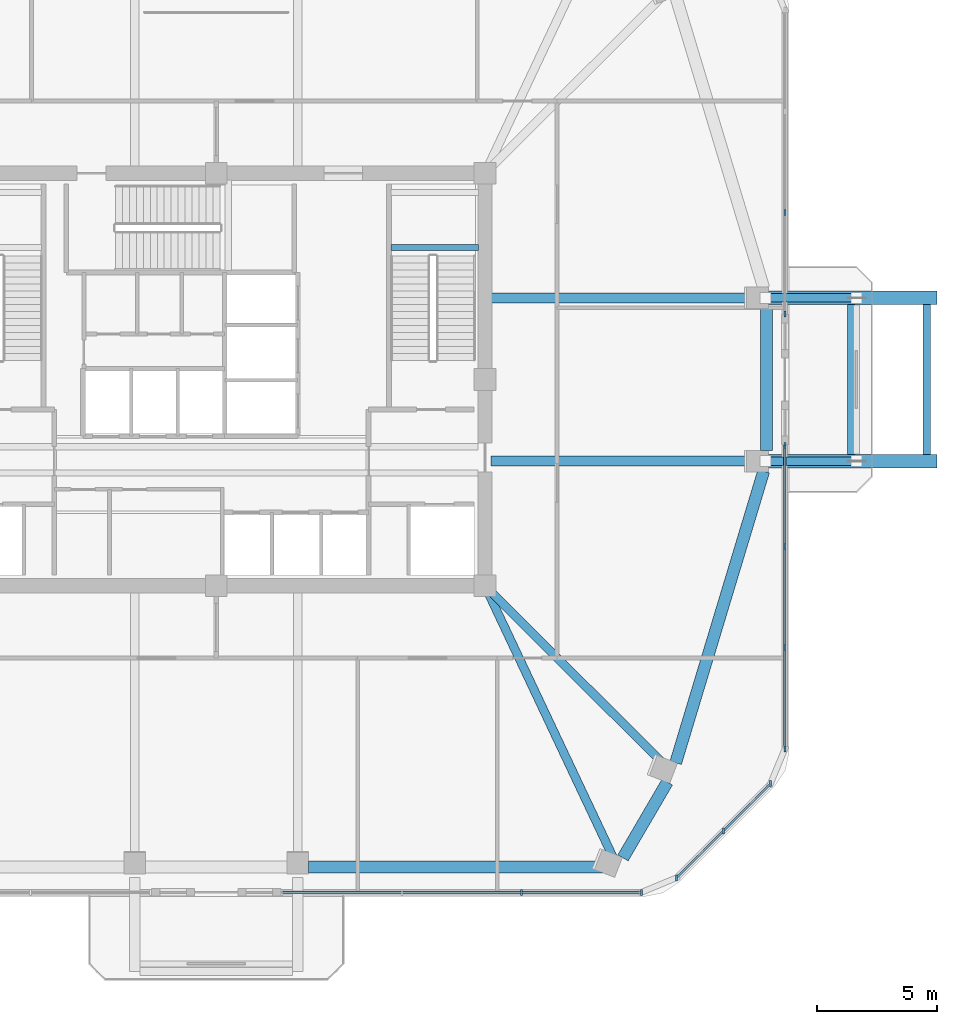
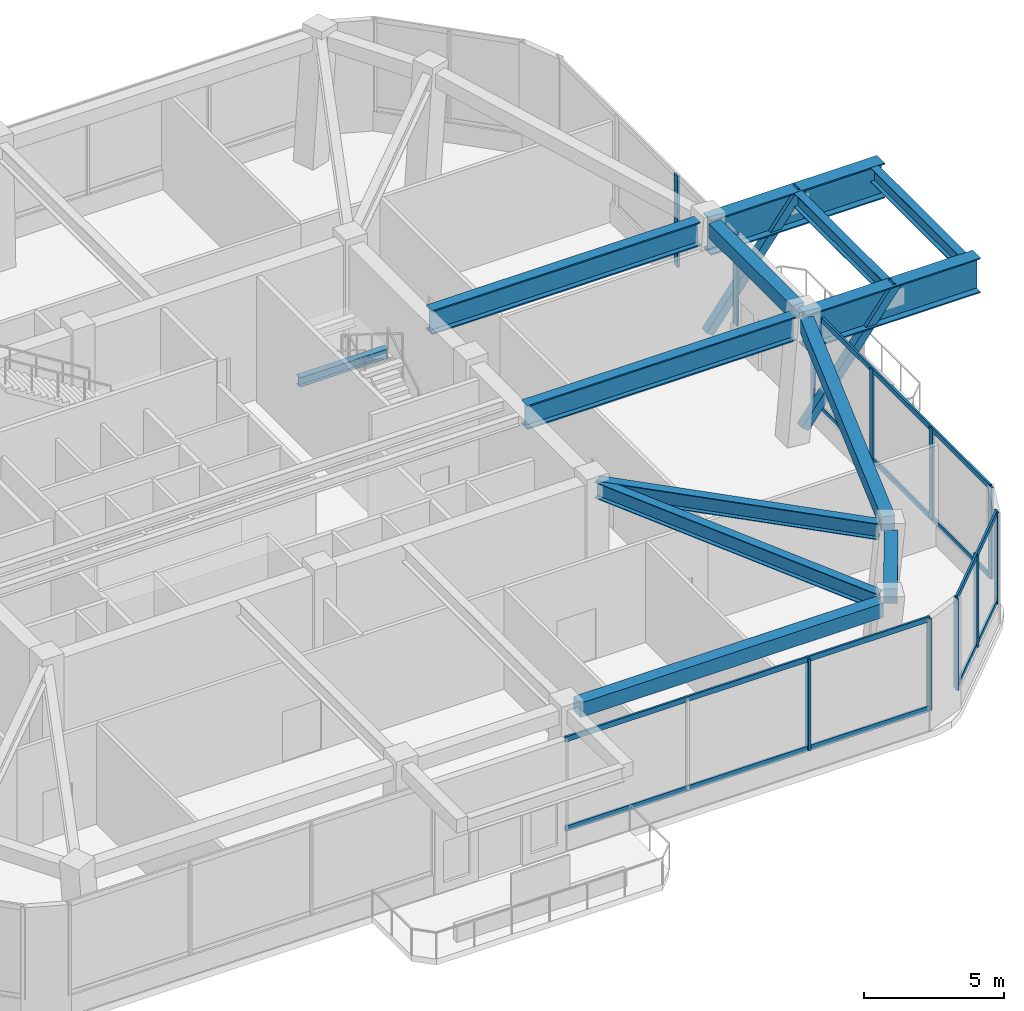
# One storey, part 3 of 14: 19 members, 13 beams, 4 elements without a shape of their own.
"""IFC4 building model written with IfcOpenShell, lengths in metres."""

from ifc_helpers import new_model, si_unit, derived_unit, direction, frame, origin, origin_2d, place, context, subcontext, project, spatial, rectangle, hollow_rectangle, i_section, extrude, material, material_profile, profile_set, type_object, element, aggregate, save


model = new_model("IFC4")

# Units and contexts
model_context = context("Model", 3, precision=1e-05, world=origin(), true_north=direction((0.0, 1.0)))
body_context = subcontext(model_context, "Body", "Model", "MODEL_VIEW")
ifc_project = project(units=[si_unit("LENGTHUNIT", "METRE"), si_unit("AREAUNIT", "SQUARE_METRE"), si_unit("VOLUMEUNIT", "CUBIC_METRE"), si_unit("PLANEANGLEUNIT", "RADIAN"), si_unit("MASSUNIT", "GRAM", prefix="KILO"), derived_unit("THERMALTRANSMITTANCEUNIT", [(si_unit("POWERUNIT", "WATT"), 1), (si_unit("LENGTHUNIT", "METRE"), -2), (si_unit("THERMODYNAMICTEMPERATUREUNIT", "KELVIN"), -1)])], contexts=[model_context])

# Site, building, storey
site_placement = place(None, origin())
site = spatial("IfcSite", under=ifc_project, at=site_placement, CompositionType="ELEMENT")
building_placement = place(site_placement, origin())
building = spatial("IfcBuilding", under=site, at=building_placement, Name="Koralith Skygarden Medical Center", CompositionType="ELEMENT")
storey_placement = place(building_placement, frame((0.0, 0.0, 182.699951171875)))
storey = spatial("IfcBuildingStorey", under=building, at=storey_placement, Name="L47", CompositionType="ELEMENT", Elevation=182.699951171875)

# Curtain wall, members
ifc_material_1 = material(Name="Clear Laminated Glass", Category="glass")
curtain_wall_type = type_object("IfcCurtainWallType", Name="CW-7 Sky-Garden & Pool Conservatory Wall", PredefinedType="NOTDEFINED", material=ifc_material_1)
curtain_wall_1_placement = place(storey_placement, origin())
curtain_wall_1 = element("IfcCurtainWall", 1, at=curtain_wall_1_placement, inside=storey, type_object=curtain_wall_type, Name="Curtain Wall CW-L47-S-R", PredefinedType="NOTDEFINED")
ifc_material_2 = material(Name="Aluminium 6063-T6", Category="aluminium")
ifc_material_profile_1 = material_profile(ifc_material_2, rectangle(XDim=0.0859375, YDim=0.25, at=origin_2d()), Name="MUL86X250")
ifc_profile_set_1 = profile_set([ifc_material_profile_1], Name="Aluminium 6063-T6")
member_type_1 = type_object("IfcMemberType", Name="CW-7 Extruded Mullion 86x250", PredefinedType="MULLION", material=ifc_profile_set_1)
member_1_placement = place(storey_placement, frame((49.72802734375, 4.529052734375, 0.85009765625), z_axis=(0.0, 0.0, 1.0), x_axis=(1.0, 0.0, 0.0)))
member_1 = element("IfcMember", 2, at=member_1_placement, type_object=member_type_1, Name="CW-L47-S-R Mullion 3", PredefinedType="MULLION", context=body_context, shape_type="SweptSolid", body=[
    extrude(rectangle(XDim=0.0859375, YDim=0.25, at=origin_2d()), origin(), (0.0, 0.0, 1.0), 3.97998046875),
])
member_2_placement = place(storey_placement, frame((54.721923828125, 4.529052734375, 0.85009765625), z_axis=(0.0, 0.0, 1.0), x_axis=(1.0, 0.0, 0.0)))
member_2 = element("IfcMember", 3, at=member_2_placement, type_object=member_type_1, Name="CW-L47-S-R Mullion 4", PredefinedType="MULLION", context=body_context, shape_type="SweptSolid", body=[
    extrude(rectangle(XDim=0.0859375, YDim=0.25, at=origin_2d()), origin(), (0.0, 0.0, 1.0), 3.97998046875),
])

curtain_wall_2_placement = place(storey_placement, origin())
curtain_wall_2 = element("IfcCurtainWall", 4, at=curtain_wall_2_placement, inside=storey, type_object=curtain_wall_type, Name="Curtain Wall CW-L47-SE", PredefinedType="NOTDEFINED")
member_3_placement = place(storey_placement, frame((56.173095703125, 5.131103515625, 0.85009765625), z_axis=(0.0, 0.0, 1.0), x_axis=(1.0, 0.0, 0.0)))
member_3 = element("IfcMember", 5, at=member_3_placement, type_object=member_type_1, Name="CW-L47-SE Mullion 1", PredefinedType="MULLION", context=body_context, shape_type="SweptSolid", body=[
    extrude(rectangle(XDim=0.0859375, YDim=0.25, at=origin_2d()), origin(), (0.0, 0.0, 1.0), 3.97998046875),
])
member_4_placement = place(storey_placement, frame((58.135009765625, 7.093017578125, 0.85009765625), z_axis=(0.0, 0.0, 1.0), x_axis=(1.0, 0.0, 0.0)))
member_4 = element("IfcMember", 6, at=member_4_placement, type_object=member_type_1, Name="CW-L47-SE Mullion 2", PredefinedType="MULLION", context=body_context, shape_type="SweptSolid", body=[
    extrude(rectangle(XDim=0.0859375, YDim=0.25, at=origin_2d()), origin(), (0.0, 0.0, 1.0), 3.97998046875),
])
member_5_placement = place(storey_placement, frame((60.095947265625, 9.053955078125, 0.85009765625), z_axis=(0.0, 0.0, 1.0), x_axis=(1.0, 0.0, 0.0)))
member_5 = element("IfcMember", 7, at=member_5_placement, type_object=member_type_1, Name="CW-L47-SE Mullion 3", PredefinedType="MULLION", context=body_context, shape_type="SweptSolid", body=[
    extrude(rectangle(XDim=0.0859375, YDim=0.25, at=origin_2d()), origin(), (0.0, 0.0, 1.0), 3.97998046875),
])

curtain_wall_3_placement = place(storey_placement, origin())
curtain_wall_3 = element("IfcCurtainWall", 8, at=curtain_wall_3_placement, inside=storey, type_object=curtain_wall_type, Name="Curtain Wall CW-L47-E-L", PredefinedType="NOTDEFINED")
member_6_placement = place(storey_placement, frame((60.697021484375, 10.5048828125, 0.85009765625), z_axis=(0.0, 0.0, 1.0), x_axis=(1.0, 0.0, 0.0)))
member_6 = element("IfcMember", 9, at=member_6_placement, type_object=member_type_1, Name="CW-L47-E-L Mullion 1", PredefinedType="MULLION", context=body_context, shape_type="SweptSolid", body=[
    extrude(rectangle(XDim=0.0859375, YDim=0.25, at=origin_2d()), origin(), (0.0, 0.0, 1.0), 3.97998046875),
])
member_7_placement = place(storey_placement, frame((60.697021484375, 14.722900390625, 0.85009765625), z_axis=(0.0, 0.0, 1.0), x_axis=(1.0, 0.0, 0.0)))
member_7 = element("IfcMember", 10, at=member_7_placement, type_object=member_type_1, Name="CW-L47-E-L Mullion 2", PredefinedType="MULLION", context=body_context, shape_type="SweptSolid", body=[
    extrude(rectangle(XDim=0.0859375, YDim=0.25, at=origin_2d()), origin(), (0.0, 0.0, 1.0), 3.97998046875),
])
member_8_placement = place(storey_placement, frame((60.697021484375, 18.94189453125, 0.85009765625), z_axis=(0.0, 0.0, 1.0), x_axis=(1.0, 0.0, 0.0)))
member_8 = element("IfcMember", 11, at=member_8_placement, type_object=member_type_1, Name="CW-L47-E-L Mullion 3", PredefinedType="MULLION", context=body_context, shape_type="SweptSolid", body=[
    extrude(rectangle(XDim=0.0859375, YDim=0.25, at=origin_2d()), origin(), (0.0, 0.0, 1.0), 3.97998046875),
])
member_9_placement = place(storey_placement, frame((60.697021484375, 23.159912109375, 0.85009765625), z_axis=(0.0, 0.0, 1.0), x_axis=(1.0, 0.0, 0.0)))
member_9 = element("IfcMember", 12, at=member_9_placement, type_object=member_type_1, Name="CW-L47-E-L Mullion 4", PredefinedType="MULLION", context=body_context, shape_type="SweptSolid", body=[
    extrude(rectangle(XDim=0.0859375, YDim=0.25, at=origin_2d()), origin(), (0.0, 0.0, 1.0), 3.97998046875),
])

curtain_wall_4_placement = place(storey_placement, origin())
curtain_wall_4 = element("IfcCurtainWall", 13, at=curtain_wall_4_placement, inside=storey, type_object=curtain_wall_type, Name="Curtain Wall CW-L47-E-R", PredefinedType="NOTDEFINED")
member_10_placement = place(storey_placement, frame((60.697021484375, 28.639892578125, 0.85009765625), z_axis=(0.0, 0.0, 1.0), x_axis=(1.0, 0.0, 0.0)))
member_10 = element("IfcMember", 14, at=member_10_placement, type_object=member_type_1, Name="CW-L47-E-R Mullion 1", PredefinedType="MULLION", context=body_context, shape_type="SweptSolid", body=[
    extrude(rectangle(XDim=0.0859375, YDim=0.25, at=origin_2d()), origin(), (0.0, 0.0, 1.0), 3.97998046875),
])
member_11_placement = place(storey_placement, frame((60.697021484375, 32.85791015625, 0.85009765625), z_axis=(0.0, 0.0, 1.0), x_axis=(1.0, 0.0, 0.0)))
member_11 = element("IfcMember", 15, at=member_11_placement, type_object=member_type_1, Name="CW-L47-E-R Mullion 2", PredefinedType="MULLION", context=body_context, shape_type="SweptSolid", body=[
    extrude(rectangle(XDim=0.0859375, YDim=0.25, at=origin_2d()), origin(), (0.0, 0.0, 1.0), 3.97998046875),
])
aggregate(curtain_wall_4, [member_10, member_11])

# Member
ifc_material_profile_2 = material_profile(ifc_material_2, rectangle(XDim=0.0810546875, YDim=0.22509765625, at=origin_2d()), Name="TRN81X225")
ifc_profile_set_2 = profile_set([ifc_material_profile_2], Name="Aluminium 6063-T6")
member_type_2 = type_object("IfcMemberType", Name="CW-7 Thermal Transom 81x225", PredefinedType="USERDEFINED", material=ifc_profile_set_2)
member_12_placement = place(storey_placement, frame((39.739013671875, 4.529052734375, 0.900146484375), z_axis=(1.0, 0.0, 0.0), x_axis=(0.0, 1.0, 0.0)))
member_12 = element("IfcMember", 16, at=member_12_placement, type_object=member_type_2, Name="CW-L47-S-R Transom 1", ObjectType="TRANSOM", PredefinedType="USERDEFINED", context=body_context, shape_type="SweptSolid", body=[
    extrude(rectangle(XDim=0.0810546875, YDim=0.22509765625, at=origin_2d()), origin(), (0.0, 0.0, 1.0), 14.98291015625),
])

member_13_placement = place(storey_placement, frame((39.739013671875, 4.529052734375, 4.780029296875), z_axis=(1.0, 0.0, 0.0), x_axis=(0.0, 1.0, 0.0)))
member_13 = element("IfcMember", 17, at=member_13_placement, type_object=member_type_2, Name="CW-L47-S-R Transom 2", ObjectType="TRANSOM", PredefinedType="USERDEFINED", context=body_context, shape_type="SweptSolid", body=[
    extrude(rectangle(XDim=0.0810546875, YDim=0.22509765625, at=origin_2d()), origin(), (0.0, 0.0, 1.0), 14.98291015625),
])

aggregate(curtain_wall_1, [member_1, member_2, member_12, member_13])

member_14_placement = place(storey_placement, frame((56.173095703125, 5.131103515625, 0.900146484375), z_axis=(0.707106781187, 0.707106781187, 0.0), x_axis=(-0.707106781187, 0.707106781187, 0.0)))
member_14 = element("IfcMember", 18, at=member_14_placement, type_object=member_type_2, Name="CW-L47-SE Transom 1", ObjectType="TRANSOM", PredefinedType="USERDEFINED", context=body_context, shape_type="SweptSolid", body=[
    extrude(rectangle(XDim=0.0810546875, YDim=0.22509765625, at=origin_2d()), origin(), (0.0, 0.0, 1.0), 5.5478515625),
])

member_15_placement = place(storey_placement, frame((56.173095703125, 5.131103515625, 4.780029296875), z_axis=(0.707106781187, 0.707106781187, 0.0), x_axis=(-0.707106781187, 0.707106781187, 0.0)))
member_15 = element("IfcMember", 19, at=member_15_placement, type_object=member_type_2, Name="CW-L47-SE Transom 2", ObjectType="TRANSOM", PredefinedType="USERDEFINED", context=body_context, shape_type="SweptSolid", body=[
    extrude(rectangle(XDim=0.0810546875, YDim=0.22509765625, at=origin_2d()), origin(), (0.0, 0.0, 1.0), 5.5478515625),
])

aggregate(curtain_wall_2, [member_3, member_4, member_5, member_14, member_15])

member_16_placement = place(storey_placement, frame((60.697021484375, 10.5048828125, 0.900146484375), z_axis=(0.0, 1.0, 0.0), x_axis=(-1.0, 0.0, 0.0)))
member_16 = element("IfcMember", 20, at=member_16_placement, type_object=member_type_2, Name="CW-L47-E-L Transom 1", ObjectType="TRANSOM", PredefinedType="USERDEFINED", context=body_context, shape_type="SweptSolid", body=[
    extrude(rectangle(XDim=0.0810546875, YDim=0.22509765625, at=origin_2d()), origin(), (0.0, 0.0, 1.0), 12.655029296875),
])

member_17_placement = place(storey_placement, frame((60.697021484375, 10.5048828125, 4.780029296875), z_axis=(0.0, 1.0, 0.0), x_axis=(-1.0, 0.0, 0.0)))
member_17 = element("IfcMember", 21, at=member_17_placement, type_object=member_type_2, Name="CW-L47-E-L Transom 2", ObjectType="TRANSOM", PredefinedType="USERDEFINED", context=body_context, shape_type="SweptSolid", body=[
    extrude(rectangle(XDim=0.0810546875, YDim=0.22509765625, at=origin_2d()), origin(), (0.0, 0.0, 1.0), 12.655029296875),
])

aggregate(curtain_wall_3, [member_6, member_7, member_8, member_9, member_16, member_17])

# Beams
ifc_material_3 = material(Name="Steel ASTM A992 Grade 50", Category="steel")
ifc_material_profile_3 = material_profile(ifc_material_3, i_section(OverallWidth=0.427001953125, OverallDepth=1.041015625, WebThickness=0.031005859375, FlangeThickness=0.055908203125, at=origin_2d()), Name="W40X397")
ifc_profile_set_3 = profile_set([ifc_material_profile_3], Name="Steel ASTM A992 Grade 50")
beam_type_1 = type_object("IfcBeamType", Name="Cantilever Back-Span Girder W40X397", PredefinedType="BEAM", material=ifc_profile_set_3)
for number, where, z_axis, x_axis, name in (
    (22, (48.449951171875, 22.5, 4.93896484375), (1.0, 0.0, 0.0), (0.0, 1.0, 0.0), "L47 Radial Collector Beam RB-08"),
    (23, (48.449951171875, 29.300048828125, 4.93896484375), (1.0, 0.0, 0.0), (0.0, 1.0, 0.0), "L47 Radial Collector Beam RB-09"),
):
    element("IfcBeam", number, at=place(storey_placement, frame(where, z_axis=z_axis, x_axis=x_axis)), inside=storey, type_object=beam_type_1, Name=name, PredefinedType="BEAM", context=body_context, shape_type="SweptSolid", body=[
        extrude(i_section(OverallWidth=0.427001953125, OverallDepth=1.041015625, WebThickness=0.031005859375, FlangeThickness=0.055908203125, at=origin_2d()), origin(), (0.0, 0.0, 1.0), 11.051025390625),
    ])
ifc_material_profile_4 = material_profile(ifc_material_3, i_section(OverallWidth=0.56005859375, OverallDepth=1.52001953125, WebThickness=0.030029296875, FlangeThickness=0.054931640625, at=origin_2d()), Name="BG1520X560X55X30")
ifc_profile_set_4 = profile_set([ifc_material_profile_4], Name="Steel ASTM A992 Grade 50")
beam_type_2 = type_object("IfcBeamType", Name="Cantilever Sky-Pool Girder BG1520", PredefinedType="BEAM", material=ifc_profile_set_4)
for number, where, z_axis, x_axis, name in (
    (24, (59.886962890625, 22.5, 4.66015625), (1.0, 0.0, 0.0), (0.0, 1.0, 0.0), "L48 POOL Primary Cantilever Girder 1"),
    (25, (59.886962890625, 29.300048828125, 4.66015625), (1.0, 0.0, 0.0), (0.0, 1.0, 0.0), "L48 POOL Primary Cantilever Girder 2"),
):
    element("IfcBeam", number, at=place(storey_placement, frame(where, z_axis=z_axis, x_axis=x_axis)), inside=storey, type_object=beam_type_2, Name=name, PredefinedType="BEAM", context=body_context, shape_type="SweptSolid", body=[
        extrude(i_section(OverallWidth=0.56005859375, OverallDepth=1.52001953125, WebThickness=0.030029296875, FlangeThickness=0.054931640625, at=origin_2d()), origin(), (0.0, 0.0, 1.0), 7.150146484375),
    ])
ifc_material_profile_5 = material_profile(ifc_material_3, i_section(OverallWidth=0.326904296875, OverallDepth=0.6220703125, WebThickness=0.015380859375, FlangeThickness=0.0244140625, at=origin_2d()), Name="W24X131")
ifc_profile_set_5 = profile_set([ifc_material_profile_5], Name="Steel ASTM A992 Grade 50")
beam_type_3 = type_object("IfcBeamType", Name="Cantilever Tie Beam W24X131", PredefinedType="BEAM", material=ifc_profile_set_5)
for number, where, z_axis, x_axis, name in (
    (26, (63.4619140625, 22.77001953125, 5.109130859375), (0.0, 1.0, 0.0), (-1.0, 0.0, 0.0), "L48 POOL Cantilever Tie Beam 1"),
    (27, (66.60791015625, 22.77001953125, 5.109130859375), (0.0, 1.0, 0.0), (-1.0, 0.0, 0.0), "L48 POOL Cantilever Tie Beam 2"),
):
    element("IfcBeam", number, at=place(storey_placement, frame(where, z_axis=z_axis, x_axis=x_axis)), inside=storey, type_object=beam_type_3, Name=name, PredefinedType="BEAM", context=body_context, shape_type="SweptSolid", body=[
        extrude(i_section(OverallWidth=0.326904296875, OverallDepth=0.6220703125, WebThickness=0.015380859375, FlangeThickness=0.0244140625, at=origin_2d()), origin(), (0.0, 0.0, 1.0), 6.260009765625),
    ])

# Members
ifc_material_4 = material(Name="Steel ASTM A500 Grade C", Category="steel")
ifc_material_profile_6 = material_profile(ifc_material_4, hollow_rectangle(XDim=0.35009765625, YDim=0.35009765625, WallThickness=0.01611328125, at=origin_2d()), Name="HSS350X350X16")
ifc_profile_set_6 = profile_set([ifc_material_profile_6], Name="Steel ASTM A500 Grade C")
member_type_3 = type_object("IfcMemberType", Name="Cantilever Truss Web Diagonal HSS350X350X16", PredefinedType="BRACE", material=ifc_profile_set_6)
for number, where, z_axis, x_axis, name in (
    (28, (59.89697265625, 22.5, 0.400146484375), (0.606386808016, 0.0, 0.795169817752), (0.0, 1.0, 0.0), "L48 POOL Cantilever Under-Strut Brace 1"),
    (29, (59.89697265625, 29.300048828125, 0.400146484375), (0.606386808016, 0.0, 0.795169817752), (0.0, 1.0, 0.0), "L48 POOL Cantilever Under-Strut Brace 2"),
):
    element("IfcMember", number, at=place(storey_placement, frame(where, z_axis=z_axis, x_axis=x_axis)), inside=storey, type_object=member_type_3, Name=name, PredefinedType="BRACE", context=body_context, shape_type="SweptSolid", body=[
        extrude(hollow_rectangle(XDim=0.35009765625, YDim=0.35009765625, WallThickness=0.01611328125, at=origin_2d()), origin(), (0.0, 0.0, 1.0), 6.250244140625),
    ])

# Beams
ifc_material_profile_7 = material_profile(ifc_material_3, i_section(OverallWidth=0.260009765625, OverallDepth=0.4150390625, WebThickness=0.010009765625, FlangeThickness=0.016845703125, at=origin_2d()), Name="W16X67")
ifc_profile_set_7 = profile_set([ifc_material_profile_7], Name="Steel ASTM A992 Grade 50")
beam_type_4 = type_object("IfcBeamType", Name="Clinical Floor Joist W16X67", PredefinedType="JOIST", material=ifc_profile_set_7)
beam_1_placement = place(storey_placement, frame((44.280029296875, 31.39990234375, 2.47314453125), z_axis=(1.0, 0.0, 0.0), x_axis=(0.0, 1.0, 0.0)))
element("IfcBeam", 30, at=beam_1_placement, inside=storey, type_object=beam_type_4, Name="L47 Stair ST2 Half-Landing Support Beam 1A", PredefinedType="JOIST", context=body_context, shape_type="SweptSolid", body=[
    extrude(i_section(OverallWidth=0.260009765625, OverallDepth=0.4150390625, WebThickness=0.010009765625, FlangeThickness=0.016845703125, at=origin_2d()), origin(), (0.0, 0.0, 1.0), 3.639892578125),
])
ifc_material_profile_8 = material_profile(ifc_material_3, i_section(OverallWidth=0.35595703125, OverallDepth=0.700927734375, WebThickness=0.016845703125, FlangeThickness=0.02734375, at=origin_2d()), Name="W27X161")
ifc_profile_set_8 = profile_set([ifc_material_profile_8], Name="Steel ASTM A992 Grade 50")
beam_type_5 = type_object("IfcBeamType", Name="Sky-Lobby Radial Girder W27X161", PredefinedType="BEAM", material=ifc_profile_set_8)
beam_2_placement = place(storey_placement, frame((48.306884765625, 17.073974609375, 5.109130859375), z_axis=(0.426754462032, -0.904367529899, 0.0), x_axis=(0.904367529899, 0.426754462032, 0.0)))
element("IfcBeam", 31, at=beam_2_placement, inside=storey, type_object=beam_type_5, Name="L47 Radial Collector Beam RB-06", PredefinedType="BEAM", context=body_context, shape_type="SweptSolid", body=[
    extrude(i_section(OverallWidth=0.35595703125, OverallDepth=0.700927734375, WebThickness=0.016845703125, FlangeThickness=0.02734375, at=origin_2d()), origin(), (0.0, 0.0, 1.0), 12.264892578125),
])
beam_3_placement = place(storey_placement, frame((48.376953125, 17.1240234375, 5.109130859375), z_axis=(0.708214413624, -0.705997410997, 0.0), x_axis=(0.705997410997, 0.708214413624, 0.0)))
element("IfcBeam", 32, at=beam_3_placement, inside=storey, type_object=beam_type_5, Name="L47 Radial Collector Beam RB-07", PredefinedType="BEAM", context=body_context, shape_type="SweptSolid", body=[
    extrude(i_section(OverallWidth=0.35595703125, OverallDepth=0.700927734375, WebThickness=0.016845703125, FlangeThickness=0.02734375, at=origin_2d()), origin(), (0.0, 0.0, 1.0), 10.3515625),
])
ifc_material_5 = material(Name="Concrete C45/55", Category="concrete")
ifc_material_profile_9 = material_profile(ifc_material_5, rectangle(XDim=0.5, YDim=0.6201171875, at=origin_2d()), Name="RCB500X620")
ifc_profile_set_9 = profile_set([ifc_material_profile_9], Name="Concrete C45/55")
beam_type_6 = type_object("IfcBeamType", Name="Zone 4-5 Spandrel Beam RCB500X620", PredefinedType="SPANDREL", material=ifc_profile_set_9)
beam_4_placement = place(storey_placement, frame((40.840087890625, 5.583984375, 5.150146484375), z_axis=(1.0, 0.0, 0.0), x_axis=(0.0, 1.0, 0.0)))
element("IfcBeam", 33, at=beam_4_placement, inside=storey, type_object=beam_type_6, Name="L47 Perimeter Spandrel Beam SP-05", PredefinedType="SPANDREL", context=body_context, shape_type="SweptSolid", body=[
    extrude(rectangle(XDim=0.5, YDim=0.6201171875, at=origin_2d()), origin(), (0.0, 0.0, 1.0), 12.448974609375),
])
beam_5_placement = place(storey_placement, frame((53.950927734375, 5.964111328125, 5.150146484375), z_axis=(0.504546715486, 0.863384394052, 0.0), x_axis=(-0.863384394052, 0.504546715486, 0.0)))
element("IfcBeam", 34, at=beam_5_placement, inside=storey, type_object=beam_type_6, Name="L47 Perimeter Spandrel Beam SP-06", PredefinedType="SPANDREL", context=body_context, shape_type="SweptSolid", body=[
    extrude(rectangle(XDim=0.5, YDim=0.6201171875, at=origin_2d()), origin(), (0.0, 0.0, 1.0), 3.6611328125),
])
beam_6_placement = place(storey_placement, frame((56.14697265625, 9.926025390625, 5.150146484375), z_axis=(0.288870232301, 0.957368261898, 0.0), x_axis=(-0.957368261898, 0.288870232301, 0.0)))
element("IfcBeam", 35, at=beam_6_placement, inside=storey, type_object=beam_type_6, Name="L47 Perimeter Spandrel Beam SP-07", PredefinedType="SPANDREL", context=body_context, shape_type="SweptSolid", body=[
    extrude(rectangle(XDim=0.5, YDim=0.6201171875, at=origin_2d()), origin(), (0.0, 0.0, 1.0), 12.6943359375),
])
beam_7_placement = place(storey_placement, frame((59.94091796875, 22.93994140625, 5.150146484375), z_axis=(0.0, 1.0, 0.0), x_axis=(-1.0, 0.0, 0.0)))
element("IfcBeam", 36, at=beam_7_placement, inside=storey, type_object=beam_type_6, Name="L47 Perimeter Spandrel Beam SP-08", PredefinedType="SPANDREL", context=body_context, shape_type="SweptSolid", body=[
    extrude(rectangle(XDim=0.5, YDim=0.6201171875, at=origin_2d()), origin(), (0.0, 0.0, 1.0), 5.920166015625),
])

save(model, "model.ifc")
